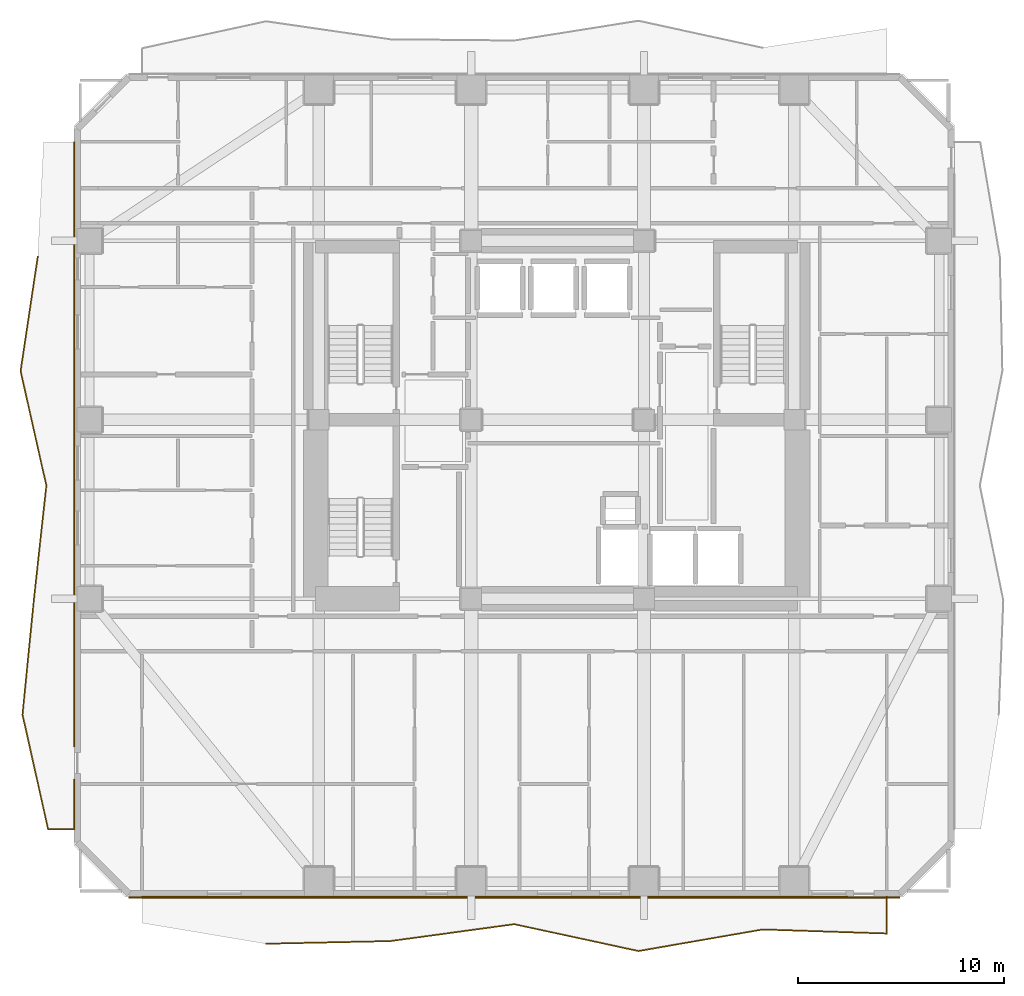
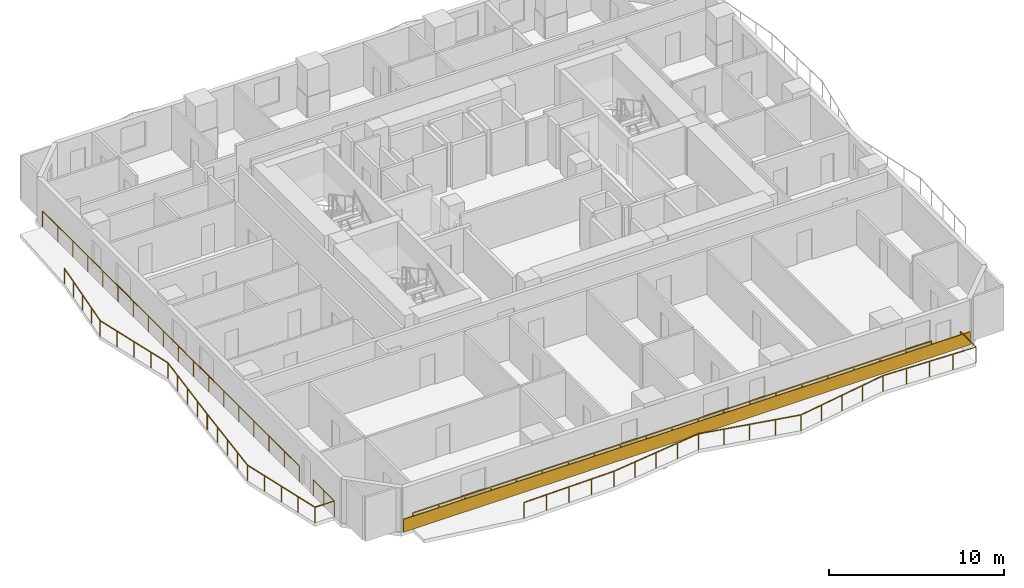
# One storey, part 8 of 11: 4 railings, 1 covering.
"""IFC4 building model written with IfcOpenShell, lengths in metres."""

from ifc_helpers import new_model, si_unit, direction, frame, frame_2d, origin, origin_2d, place, context, subcontext, project, spatial, rectangle, extrude, material, layer, layer_set, type_object, element, save


model = new_model("IFC4")

# Units and contexts
model_context = context("Model", 3, precision=1e-05, world=origin(), true_north=direction((0.0, 1.0)))
body_context = subcontext(model_context, "Body", "Model", "MODEL_VIEW")
ifc_project = project(units=[si_unit("LENGTHUNIT", "METRE"), si_unit("AREAUNIT", "SQUARE_METRE"), si_unit("VOLUMEUNIT", "CUBIC_METRE"), si_unit("PLANEANGLEUNIT", "RADIAN"), si_unit("MASSUNIT", "GRAM", prefix="KILO")], contexts=[model_context])

# Site, building, storey
site_placement = place(None, origin())
site = spatial("IfcSite", under=ifc_project, at=site_placement, CompositionType="ELEMENT")
building_placement = place(site_placement, origin())
building = spatial("IfcBuilding", under=site, at=building_placement, Name="Solanera Arch Residences", CompositionType="ELEMENT")
storey_placement = place(building_placement, frame((0.0, 0.0, 25.320068359375)))
storey = spatial("IfcBuildingStorey", under=building, at=storey_placement, Name="L06", CompositionType="ELEMENT", Elevation=25.320068359375)

# Railings
ifc_material_1 = material(Name="Steel S355 (ASTM A992 / A572 Grade 50)", Category="steel")
railing_type = type_object("IfcRailingType", Name="Balustrade Railing BL-1100", PredefinedType="BALUSTRADE", material=ifc_material_1)
railing_1_placement = place(storey_placement, frame((10.8330078125, 5.22900390625, 0.0)))
element("IfcRailing", 1, at=railing_1_placement, inside=storey, type_object=railing_type, Name="L06 S Balcony Balustrade 1", PredefinedType="BALUSTRADE", context=body_context, shape_type="SweptSolid", body=[
    extrude(rectangle(XDim=0.048095703125, YDim=0.048095703125, at=origin_2d()), frame((0.0, 0.0, 1.09619140625), z_axis=(0.999771877569, 0.021358670903, 0.0), x_axis=(-0.021358670903, 0.999771877569, 0.0)), (0.0, 0.0, 1.0), 6.035400390625),
    extrude(rectangle(XDim=0.048095703125, YDim=0.048095703125, at=origin_2d()), frame((6.033935546875, 0.12890625, 1.09619140625), z_axis=(0.990866001883, 0.134850162451, 0.0), x_axis=(-0.134850162451, 0.990866001883, 0.0)), (0.0, 0.0, 1.0), 6.088623046875),
    extrude(rectangle(XDim=0.048095703125, YDim=0.048095703125, at=origin_2d()), frame((12.06689453125, 0.949951171875, 1.09619140625), z_axis=(0.977398927395, -0.211403256188, 0.0), x_axis=(0.211403256188, 0.977398927395, 0.0)), (0.0, 0.0, 1.0), 6.172607421875),
    extrude(rectangle(XDim=0.048095703125, YDim=0.048095703125, at=origin_2d()), frame((18.10009765625, -0.35498046875, 1.09619140625), z_axis=(0.985220238267, 0.171292387774, 0.0), x_axis=(-0.171292387774, 0.985220238267, 0.0)), (0.0, 0.0, 1.0), 6.12451171875),
    extrude(rectangle(XDim=0.048095703125, YDim=0.048095703125, at=origin_2d()), frame((24.134033203125, 0.694091796875, 1.09619140625), z_axis=(0.999467169328, -0.032640120013, 0.0), x_axis=(0.032640120013, 0.999467169328, 0.0)), (0.0, 0.0, 1.0), 6.0361328125),
    extrude(rectangle(XDim=0.048095703125, YDim=0.048095703125, at=origin_2d()), frame((30.1669921875, 0.4970703125, 1.09619140625), z_axis=(0.0, 1.0, 0.0), x_axis=(-1.0, 0.0, 0.0)), (0.0, 0.0, 1.0), 1.7939453125),
    extrude(rectangle(XDim=0.0419921875, YDim=0.0419921875, at=origin_2d()), origin(), (0.0, 0.0, 1.0), 1.072021484375),
    extrude(rectangle(XDim=0.0419921875, YDim=0.0419921875, at=origin_2d()), frame((1.508544921875, 0.0322265625, 0.0)), (0.0, 0.0, 1.0), 1.072021484375),
    extrude(rectangle(XDim=0.0419921875, YDim=0.0419921875, at=origin_2d()), frame((3.01708984375, 0.064453125, 0.0)), (0.0, 0.0, 1.0), 1.072021484375),
    extrude(rectangle(XDim=0.0419921875, YDim=0.0419921875, at=origin_2d()), frame((4.525390625, 0.0966796875, 0.0)), (0.0, 0.0, 1.0), 1.072021484375),
    extrude(rectangle(XDim=0.0419921875, YDim=0.0419921875, at=origin_2d()), frame((6.033935546875, 0.12890625, 0.0)), (0.0, 0.0, 1.0), 1.072021484375),
    extrude(rectangle(XDim=0.0419921875, YDim=0.0419921875, at=origin_2d()), frame((7.542236328125, 0.334228515625, 0.0)), (0.0, 0.0, 1.0), 1.072021484375),
    extrude(rectangle(XDim=0.0419921875, YDim=0.0419921875, at=origin_2d()), frame((9.05029296875, 0.53955078125, 0.0)), (0.0, 0.0, 1.0), 1.072021484375),
    extrude(rectangle(XDim=0.0419921875, YDim=0.0419921875, at=origin_2d()), frame((10.55859375, 0.74462890625, 0.0)), (0.0, 0.0, 1.0), 1.072021484375),
    extrude(rectangle(XDim=0.0419921875, YDim=0.0419921875, at=origin_2d()), frame((12.06689453125, 0.949951171875, 0.0)), (0.0, 0.0, 1.0), 1.072021484375),
    extrude(rectangle(XDim=0.0419921875, YDim=0.0419921875, at=origin_2d()), frame((13.5751953125, 0.623779296875, 0.0)), (0.0, 0.0, 1.0), 1.072021484375),
    extrude(rectangle(XDim=0.0419921875, YDim=0.0419921875, at=origin_2d()), frame((15.08349609375, 0.29736328125, 0.0)), (0.0, 0.0, 1.0), 1.072021484375),
    extrude(rectangle(XDim=0.0419921875, YDim=0.0419921875, at=origin_2d()), frame((16.591796875, -0.02880859375, 0.0)), (0.0, 0.0, 1.0), 1.072021484375),
    extrude(rectangle(XDim=0.0419921875, YDim=0.0419921875, at=origin_2d()), frame((18.10009765625, -0.35498046875, 0.0)), (0.0, 0.0, 1.0), 1.072021484375),
    extrude(rectangle(XDim=0.0419921875, YDim=0.0419921875, at=origin_2d()), frame((19.608642578125, -0.0927734375, 0.0)), (0.0, 0.0, 1.0), 1.072021484375),
    extrude(rectangle(XDim=0.0419921875, YDim=0.0419921875, at=origin_2d()), frame((21.1171875, 0.16943359375, 0.0)), (0.0, 0.0, 1.0), 1.072021484375),
    extrude(rectangle(XDim=0.0419921875, YDim=0.0419921875, at=origin_2d()), frame((22.62548828125, 0.431884765625, 0.0)), (0.0, 0.0, 1.0), 1.072021484375),
    extrude(rectangle(XDim=0.0419921875, YDim=0.0419921875, at=origin_2d()), frame((24.134033203125, 0.694091796875, 0.0)), (0.0, 0.0, 1.0), 1.072021484375),
    extrude(rectangle(XDim=0.0419921875, YDim=0.0419921875, at=origin_2d()), frame((25.642333984375, 0.644775390625, 0.0)), (0.0, 0.0, 1.0), 1.072021484375),
    extrude(rectangle(XDim=0.0419921875, YDim=0.0419921875, at=origin_2d()), frame((27.150390625, 0.595703125, 0.0)), (0.0, 0.0, 1.0), 1.072021484375),
    extrude(rectangle(XDim=0.0419921875, YDim=0.0419921875, at=origin_2d()), frame((28.65869140625, 0.54638671875, 0.0)), (0.0, 0.0, 1.0), 1.072021484375),
    extrude(rectangle(XDim=0.0419921875, YDim=0.0419921875, at=origin_2d()), frame((30.1669921875, 0.4970703125, 0.0)), (0.0, 0.0, 1.0), 1.072021484375),
    extrude(rectangle(XDim=0.0419921875, YDim=0.0419921875, at=origin_2d()), frame((30.1669921875, 2.291015625, 0.0)), (0.0, 0.0, 1.0), 1.072021484375),
])
railing_2_placement = place(storey_placement, frame((39.083984375, 7.52001953125, 0.0)))
element("IfcRailing", 2, at=railing_2_placement, inside=storey, type_object=railing_type, Name="L06 S Balcony Balustrade 2", PredefinedType="BALUSTRADE", context=body_context, shape_type="SweptSolid", body=[
    extrude(rectangle(XDim=0.048095703125, YDim=0.048095703125, at=origin_2d()), frame((0.0, 0.0, 1.09619140625), z_axis=(-1.0, 0.0, 0.0), x_axis=(0.0, -1.0, 0.0)), (0.0, 0.0, 1.0), 34.283935546875),
    extrude(rectangle(XDim=0.0419921875, YDim=0.0419921875, at=origin_2d()), origin(), (0.0, 0.0, 1.0), 1.072021484375),
    extrude(rectangle(XDim=0.0419921875, YDim=0.0419921875, at=origin_2d()), frame((-1.714111328125, 0.0, 0.0)), (0.0, 0.0, 1.0), 1.072021484375),
    extrude(rectangle(XDim=0.0419921875, YDim=0.0419921875, at=origin_2d()), frame((-3.428466796875, 0.0, 0.0)), (0.0, 0.0, 1.0), 1.072021484375),
    extrude(rectangle(XDim=0.0419921875, YDim=0.0419921875, at=origin_2d()), frame((-5.142578125, 0.0, 0.0)), (0.0, 0.0, 1.0), 1.072021484375),
    extrude(rectangle(XDim=0.0419921875, YDim=0.0419921875, at=origin_2d()), frame((-6.856689453125, 0.0, 0.0)), (0.0, 0.0, 1.0), 1.072021484375),
    extrude(rectangle(XDim=0.0419921875, YDim=0.0419921875, at=origin_2d()), frame((-8.571044921875, 0.0, 0.0)), (0.0, 0.0, 1.0), 1.072021484375),
    extrude(rectangle(XDim=0.0419921875, YDim=0.0419921875, at=origin_2d()), frame((-10.28515625, 0.0, 0.0)), (0.0, 0.0, 1.0), 1.072021484375),
    extrude(rectangle(XDim=0.0419921875, YDim=0.0419921875, at=origin_2d()), frame((-11.999267578125, 0.0, 0.0)), (0.0, 0.0, 1.0), 1.072021484375),
    extrude(rectangle(XDim=0.0419921875, YDim=0.0419921875, at=origin_2d()), frame((-13.713623046875, 0.0, 0.0)), (0.0, 0.0, 1.0), 1.072021484375),
    extrude(rectangle(XDim=0.0419921875, YDim=0.0419921875, at=origin_2d()), frame((-15.427734375, 0.0, 0.0)), (0.0, 0.0, 1.0), 1.072021484375),
    extrude(rectangle(XDim=0.0419921875, YDim=0.0419921875, at=origin_2d()), frame((-17.14208984375, 0.0, 0.0)), (0.0, 0.0, 1.0), 1.072021484375),
    extrude(rectangle(XDim=0.0419921875, YDim=0.0419921875, at=origin_2d()), frame((-18.856201171875, 0.0, 0.0)), (0.0, 0.0, 1.0), 1.072021484375),
    extrude(rectangle(XDim=0.0419921875, YDim=0.0419921875, at=origin_2d()), frame((-20.5703125, 0.0, 0.0)), (0.0, 0.0, 1.0), 1.072021484375),
    extrude(rectangle(XDim=0.0419921875, YDim=0.0419921875, at=origin_2d()), frame((-22.28466796875, 0.0, 0.0)), (0.0, 0.0, 1.0), 1.072021484375),
    extrude(rectangle(XDim=0.0419921875, YDim=0.0419921875, at=origin_2d()), frame((-23.998779296875, 0.0, 0.0)), (0.0, 0.0, 1.0), 1.072021484375),
    extrude(rectangle(XDim=0.0419921875, YDim=0.0419921875, at=origin_2d()), frame((-25.712890625, 0.0, 0.0)), (0.0, 0.0, 1.0), 1.072021484375),
    extrude(rectangle(XDim=0.0419921875, YDim=0.0419921875, at=origin_2d()), frame((-27.42724609375, 0.0, 0.0)), (0.0, 0.0, 1.0), 1.072021484375),
    extrude(rectangle(XDim=0.0419921875, YDim=0.0419921875, at=origin_2d()), frame((-29.141357421875, 0.0, 0.0)), (0.0, 0.0, 1.0), 1.072021484375),
    extrude(rectangle(XDim=0.0419921875, YDim=0.0419921875, at=origin_2d()), frame((-30.85546875, 0.0, 0.0)), (0.0, 0.0, 1.0), 1.072021484375),
    extrude(rectangle(XDim=0.0419921875, YDim=0.0419921875, at=origin_2d()), frame((-32.56982421875, 0.0, 0.0)), (0.0, 0.0, 1.0), 1.072021484375),
    extrude(rectangle(XDim=0.0419921875, YDim=0.0419921875, at=origin_2d()), frame((-34.283935546875, 0.0, 0.0)), (0.0, 0.0, 1.0), 1.072021484375),
])
railing_3_placement = place(storey_placement, frame((-0.264892578125, 38.633056640625, 0.0)))
element("IfcRailing", 3, at=railing_3_placement, inside=storey, type_object=railing_type, Name="L06 W Balcony Balustrade 1", PredefinedType="BALUSTRADE", context=body_context, shape_type="SweptSolid", body=[
    extrude(rectangle(XDim=0.048095703125, YDim=0.048095703125, at=origin_2d()), frame((0.0, 0.0, 1.09619140625), z_axis=(-0.14889822889, -0.988852525624, 0.0), x_axis=(0.988852525624, -0.14889822889, 0.0)), (0.0, 0.0, 1.0), 5.62890625),
    extrude(rectangle(XDim=0.048095703125, YDim=0.048095703125, at=origin_2d()), frame((-0.838134765625, -5.566162109375, 1.09619140625), z_axis=(0.219575316675, -0.975595551603, 0.0), x_axis=(0.975595551603, 0.219575316675, 0.0)), (0.0, 0.0, 1.0), 5.7060546875),
    extrude(rectangle(XDim=0.048095703125, YDim=0.048095703125, at=origin_2d()), frame((0.414794921875, -11.133056640625, 1.09619140625), z_axis=(-0.108727937549, -0.994071544506, 0.0), x_axis=(0.994071544506, -0.108727937549, 0.0)), (0.0, 0.0, 1.0), 5.60009765625),
    extrude(rectangle(XDim=0.048095703125, YDim=0.048095703125, at=origin_2d()), frame((-0.194091796875, -16.699951171875, 1.09619140625), z_axis=(-0.098341119257, -0.995152764285, 0.0), x_axis=(0.995152764285, -0.098341119257, 0.0)), (0.0, 0.0, 1.0), 5.59326171875),
    extrude(rectangle(XDim=0.048095703125, YDim=0.048095703125, at=origin_2d()), frame((-0.744140625, -22.26611328125, 1.09619140625), z_axis=(0.218108557314, -0.975924514103, 0.0), x_axis=(0.975924514103, 0.218108557314, 0.0)), (0.0, 0.0, 1.0), 5.704345703125),
    extrude(rectangle(XDim=0.048095703125, YDim=0.048095703125, at=origin_2d()), frame((0.5, -27.8330078125, 1.09619140625), z_axis=(1.0, 0.0, 0.0), x_axis=(0.0, 1.0, 0.0)), (0.0, 0.0, 1.0), 1.284912109375),
    extrude(rectangle(XDim=0.048095703125, YDim=0.048095703125, at=origin_2d()), frame((1.784912109375, -27.8330078125, 1.09619140625), z_axis=(0.0, 1.0, 0.0), x_axis=(-1.0, 0.0, 0.0)), (0.0, 0.0, 1.0), 2.4169921875),
    extrude(rectangle(XDim=0.0419921875, YDim=0.0419921875, at=origin_2d()), origin(), (0.0, 0.0, 1.0), 1.072021484375),
    extrude(rectangle(XDim=0.0419921875, YDim=0.0419921875, at=origin_2d()), frame((-0.20947265625, -1.3916015625, 0.0)), (0.0, 0.0, 1.0), 1.072021484375),
    extrude(rectangle(XDim=0.0419921875, YDim=0.0419921875, at=origin_2d()), frame((-0.4189453125, -2.783203125, 0.0)), (0.0, 0.0, 1.0), 1.072021484375),
    extrude(rectangle(XDim=0.0419921875, YDim=0.0419921875, at=origin_2d()), frame((-0.628662109375, -4.174560546875, 0.0)), (0.0, 0.0, 1.0), 1.072021484375),
    extrude(rectangle(XDim=0.0419921875, YDim=0.0419921875, at=origin_2d()), frame((-0.838134765625, -5.566162109375, 0.0)), (0.0, 0.0, 1.0), 1.072021484375),
    extrude(rectangle(XDim=0.0419921875, YDim=0.0419921875, at=origin_2d()), frame((-0.52490234375, -6.9580078125, 0.0)), (0.0, 0.0, 1.0), 1.072021484375),
    extrude(rectangle(XDim=0.0419921875, YDim=0.0419921875, at=origin_2d()), frame((-0.211669921875, -8.349609375, 0.0)), (0.0, 0.0, 1.0), 1.072021484375),
    extrude(rectangle(XDim=0.0419921875, YDim=0.0419921875, at=origin_2d()), frame((0.1015625, -9.7412109375, 0.0)), (0.0, 0.0, 1.0), 1.072021484375),
    extrude(rectangle(XDim=0.0419921875, YDim=0.0419921875, at=origin_2d()), frame((0.414794921875, -11.133056640625, 0.0)), (0.0, 0.0, 1.0), 1.072021484375),
    extrude(rectangle(XDim=0.0419921875, YDim=0.0419921875, at=origin_2d()), frame((0.2626953125, -12.52490234375, 0.0)), (0.0, 0.0, 1.0), 1.072021484375),
    extrude(rectangle(XDim=0.0419921875, YDim=0.0419921875, at=origin_2d()), frame((0.1103515625, -13.91650390625, 0.0)), (0.0, 0.0, 1.0), 1.072021484375),
    extrude(rectangle(XDim=0.0419921875, YDim=0.0419921875, at=origin_2d()), frame((-0.0419921875, -15.30810546875, 0.0)), (0.0, 0.0, 1.0), 1.072021484375),
    extrude(rectangle(XDim=0.0419921875, YDim=0.0419921875, at=origin_2d()), frame((-0.194091796875, -16.699951171875, 0.0)), (0.0, 0.0, 1.0), 1.072021484375),
    extrude(rectangle(XDim=0.0419921875, YDim=0.0419921875, at=origin_2d()), frame((-0.33154296875, -18.091552734375, 0.0)), (0.0, 0.0, 1.0), 1.072021484375),
    extrude(rectangle(XDim=0.0419921875, YDim=0.0419921875, at=origin_2d()), frame((-0.46923828125, -19.48291015625, 0.0)), (0.0, 0.0, 1.0), 1.072021484375),
    extrude(rectangle(XDim=0.0419921875, YDim=0.0419921875, at=origin_2d()), frame((-0.606689453125, -20.87451171875, 0.0)), (0.0, 0.0, 1.0), 1.072021484375),
    extrude(rectangle(XDim=0.0419921875, YDim=0.0419921875, at=origin_2d()), frame((-0.744140625, -22.26611328125, 0.0)), (0.0, 0.0, 1.0), 1.072021484375),
    extrude(rectangle(XDim=0.0419921875, YDim=0.0419921875, at=origin_2d()), frame((-0.43310546875, -23.65771484375, 0.0)), (0.0, 0.0, 1.0), 1.072021484375),
    extrude(rectangle(XDim=0.0419921875, YDim=0.0419921875, at=origin_2d()), frame((-0.1220703125, -25.049560546875, 0.0)), (0.0, 0.0, 1.0), 1.072021484375),
    extrude(rectangle(XDim=0.0419921875, YDim=0.0419921875, at=origin_2d()), frame((0.18896484375, -26.44140625, 0.0)), (0.0, 0.0, 1.0), 1.072021484375),
    extrude(rectangle(XDim=0.0419921875, YDim=0.0419921875, at=origin_2d()), frame((0.5, -27.8330078125, 0.0)), (0.0, 0.0, 1.0), 1.072021484375),
    extrude(rectangle(XDim=0.0419921875, YDim=0.0419921875, at=origin_2d()), frame((1.784912109375, -27.8330078125, 0.0)), (0.0, 0.0, 1.0), 1.072021484375),
    extrude(rectangle(XDim=0.0419921875, YDim=0.0419921875, at=origin_2d()), frame((1.784912109375, -26.62451171875, 0.0)), (0.0, 0.0, 1.0), 1.072021484375),
    extrude(rectangle(XDim=0.0419921875, YDim=0.0419921875, at=origin_2d()), frame((1.784912109375, -25.416015625, 0.0)), (0.0, 0.0, 1.0), 1.072021484375),
])
railing_4_placement = place(storey_placement, frame((1.52001953125, 14.81689453125, 0.0)))
element("IfcRailing", 4, at=railing_4_placement, inside=storey, type_object=railing_type, Name="L06 W Balcony Balustrade 2", PredefinedType="BALUSTRADE", context=body_context, shape_type="SweptSolid", body=[
    extrude(rectangle(XDim=0.048095703125, YDim=0.048095703125, at=origin_2d()), frame((0.0, 0.0, 1.09619140625), z_axis=(0.0, 1.0, 0.0), x_axis=(-1.0, 0.0, 0.0)), (0.0, 0.0, 1.0), 29.383056640625),
    extrude(rectangle(XDim=0.0419921875, YDim=0.0419921875, at=origin_2d()), origin(), (0.0, 0.0, 1.0), 1.072021484375),
    extrude(rectangle(XDim=0.0419921875, YDim=0.0419921875, at=origin_2d()), frame((0.0, 1.728515625, 0.0)), (0.0, 0.0, 1.0), 1.072021484375),
    extrude(rectangle(XDim=0.0419921875, YDim=0.0419921875, at=origin_2d()), frame((0.0, 3.456787109375, 0.0)), (0.0, 0.0, 1.0), 1.072021484375),
    extrude(rectangle(XDim=0.0419921875, YDim=0.0419921875, at=origin_2d()), frame((0.0, 5.185302734375, 0.0)), (0.0, 0.0, 1.0), 1.072021484375),
    extrude(rectangle(XDim=0.0419921875, YDim=0.0419921875, at=origin_2d()), frame((0.0, 6.91357421875, 0.0)), (0.0, 0.0, 1.0), 1.072021484375),
    extrude(rectangle(XDim=0.0419921875, YDim=0.0419921875, at=origin_2d()), frame((0.0, 8.64208984375, 0.0)), (0.0, 0.0, 1.0), 1.072021484375),
    extrude(rectangle(XDim=0.0419921875, YDim=0.0419921875, at=origin_2d()), frame((0.0, 10.37060546875, 0.0)), (0.0, 0.0, 1.0), 1.072021484375),
    extrude(rectangle(XDim=0.0419921875, YDim=0.0419921875, at=origin_2d()), frame((0.0, 12.098876953125, 0.0)), (0.0, 0.0, 1.0), 1.072021484375),
    extrude(rectangle(XDim=0.0419921875, YDim=0.0419921875, at=origin_2d()), frame((0.0, 13.827392578125, 0.0)), (0.0, 0.0, 1.0), 1.072021484375),
    extrude(rectangle(XDim=0.0419921875, YDim=0.0419921875, at=origin_2d()), frame((0.0, 15.5556640625, 0.0)), (0.0, 0.0, 1.0), 1.072021484375),
    extrude(rectangle(XDim=0.0419921875, YDim=0.0419921875, at=origin_2d()), frame((0.0, 17.2841796875, 0.0)), (0.0, 0.0, 1.0), 1.072021484375),
    extrude(rectangle(XDim=0.0419921875, YDim=0.0419921875, at=origin_2d()), frame((0.0, 19.012451171875, 0.0)), (0.0, 0.0, 1.0), 1.072021484375),
    extrude(rectangle(XDim=0.0419921875, YDim=0.0419921875, at=origin_2d()), frame((0.0, 20.740966796875, 0.0)), (0.0, 0.0, 1.0), 1.072021484375),
    extrude(rectangle(XDim=0.0419921875, YDim=0.0419921875, at=origin_2d()), frame((0.0, 22.469482421875, 0.0)), (0.0, 0.0, 1.0), 1.072021484375),
    extrude(rectangle(XDim=0.0419921875, YDim=0.0419921875, at=origin_2d()), frame((0.0, 24.19775390625, 0.0)), (0.0, 0.0, 1.0), 1.072021484375),
    extrude(rectangle(XDim=0.0419921875, YDim=0.0419921875, at=origin_2d()), frame((0.0, 25.92626953125, 0.0)), (0.0, 0.0, 1.0), 1.072021484375),
    extrude(rectangle(XDim=0.0419921875, YDim=0.0419921875, at=origin_2d()), frame((0.0, 27.654541015625, 0.0)), (0.0, 0.0, 1.0), 1.072021484375),
    extrude(rectangle(XDim=0.0419921875, YDim=0.0419921875, at=origin_2d()), frame((0.0, 29.383056640625, 0.0)), (0.0, 0.0, 1.0), 1.072021484375),
])

# Covering
ifc_material_2 = material(Name="Philippine Adobe Travertine Cladding", Category="masonry")
ifc_layer = layer(ifc_material_2, 0.06005859375)
ifc_layer_set = layer_set([ifc_layer], Name="Philippine Adobe Travertine Cladding")
covering_type = type_object("IfcCoveringType", Name="Precast Pier Stone Cladding CLD-60", PredefinedType="CLADDING", material=ifc_layer_set)
covering_placement = place(storey_placement, frame((41.635009765625, 7.485107421875, 0.0), z_axis=(0.0, 0.0, 1.0), x_axis=(-1.0, 0.0, 0.0)))
element("IfcCovering", 5, at=covering_placement, inside=storey, type_object=covering_type, Name="L06 S Precast Spandrel Stone Band", PredefinedType="CLADDING", context=body_context, shape_type="SweptSolid", body=[
    extrude(rectangle(XDim=37.469970703125, YDim=0.06005859375, at=frame_2d((18.73486328125, 0.0))), origin(), (0.0, 0.0, 1.0), 0.89990234375),
])

save(model, "model.ifc")
